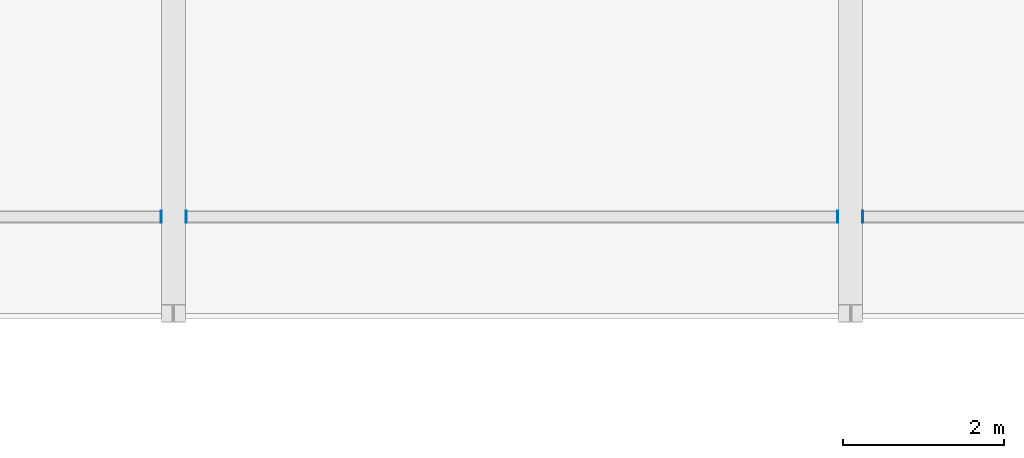
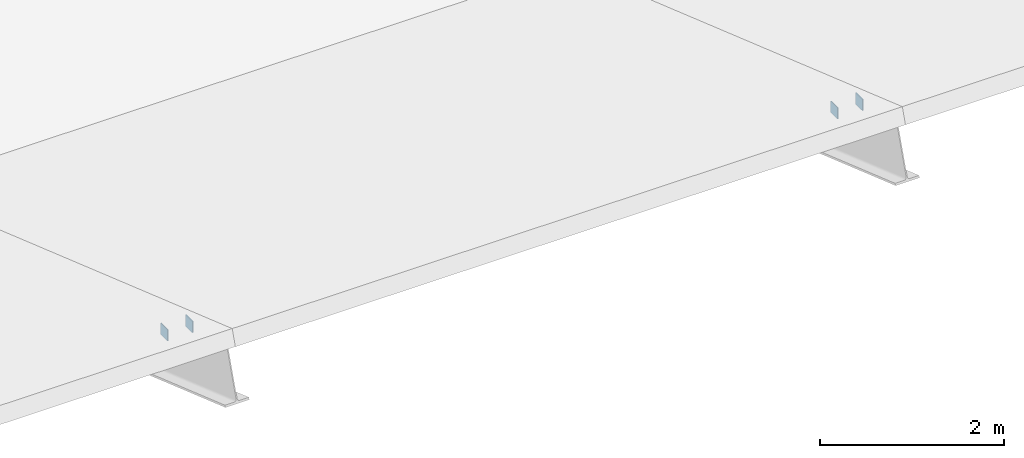
# One storey, part 99 of 110: 4 discrete accessories.
"""IFC4 building model written with IfcOpenShell, lengths in metres."""

from ifc_helpers import new_model, si_unit, direction, frame, origin, origin_2d, place, context, subcontext, project, spatial, rectangle, extrude, material, type_object, element, save


model = new_model("IFC4")

# Units and contexts
model_context = context("Model", 3, precision=1e-05, world=origin(), true_north=direction((0.0, 1.0)))
body_context = subcontext(model_context, "Body", "Model", "MODEL_VIEW")
ifc_project = project(units=[si_unit("LENGTHUNIT", "METRE"), si_unit("AREAUNIT", "SQUARE_METRE"), si_unit("VOLUMEUNIT", "CUBIC_METRE"), si_unit("PLANEANGLEUNIT", "RADIAN"), si_unit("MASSUNIT", "GRAM", prefix="KILO")], contexts=[model_context])

# Site, building, storey
site_placement = place(None, origin())
site = spatial("IfcSite", under=ifc_project, at=site_placement, CompositionType="ELEMENT")
building_placement = place(site_placement, origin())
building = spatial("IfcBuilding", under=site, at=building_placement, Name="Qawsi Khor Wholesale Market", CompositionType="ELEMENT")
storey_placement = place(building_placement, frame((0.0, 0.0, 11.39990234375)))
storey = spatial("IfcBuildingStorey", under=building, at=storey_placement, Name="L02", CompositionType="ELEMENT", Elevation=11.39990234375)

# Discrete accessories
ifc_material = material(Name="Steel S355", Category="steel")
discrete_accessory_type = type_object("IfcDiscreteAccessoryType", Name="Purlin End Cleat Plate 12 S355", PredefinedType="BRACKET", material=ifc_material)
for number, where, z_axis, x_axis, name in (
    (1, (109.0439453125, 93.60009765625, 2.658447265625), (0.0, 0.0, 1.0), (1.0, 0.0, 0.0), "Auction roof purlin 13-1 end cleat E"),
    (2, (109.35595703125, 93.60009765625, 2.658447265625), (0.0, 0.0, 1.0), (1.0, 0.0, 0.0), "Auction roof purlin 14-1 end cleat W"),
    (3, (117.444091796875, 93.60009765625, 2.658447265625), (0.0, 0.0, 1.0), (1.0, 0.0, 0.0), "Auction roof purlin 14-1 end cleat E"),
    (4, (117.756103515625, 93.60009765625, 2.658447265625), (0.0, 0.0, 1.0), (1.0, 0.0, 0.0), "Auction roof purlin 15-1 end cleat W"),
):
    element("IfcDiscreteAccessory", number, at=place(storey_placement, frame(where, z_axis=z_axis, x_axis=x_axis)), inside=storey, type_object=discrete_accessory_type, Name=name, PredefinedType="BRACKET", context=body_context, shape_type="SweptSolid", body=[
        extrude(rectangle(XDim=0.011962890625, YDim=0.14990234375, at=origin_2d()), origin(), (0.0, 0.0, 1.0), 0.14990234375),
    ])

save(model, "model.ifc")
